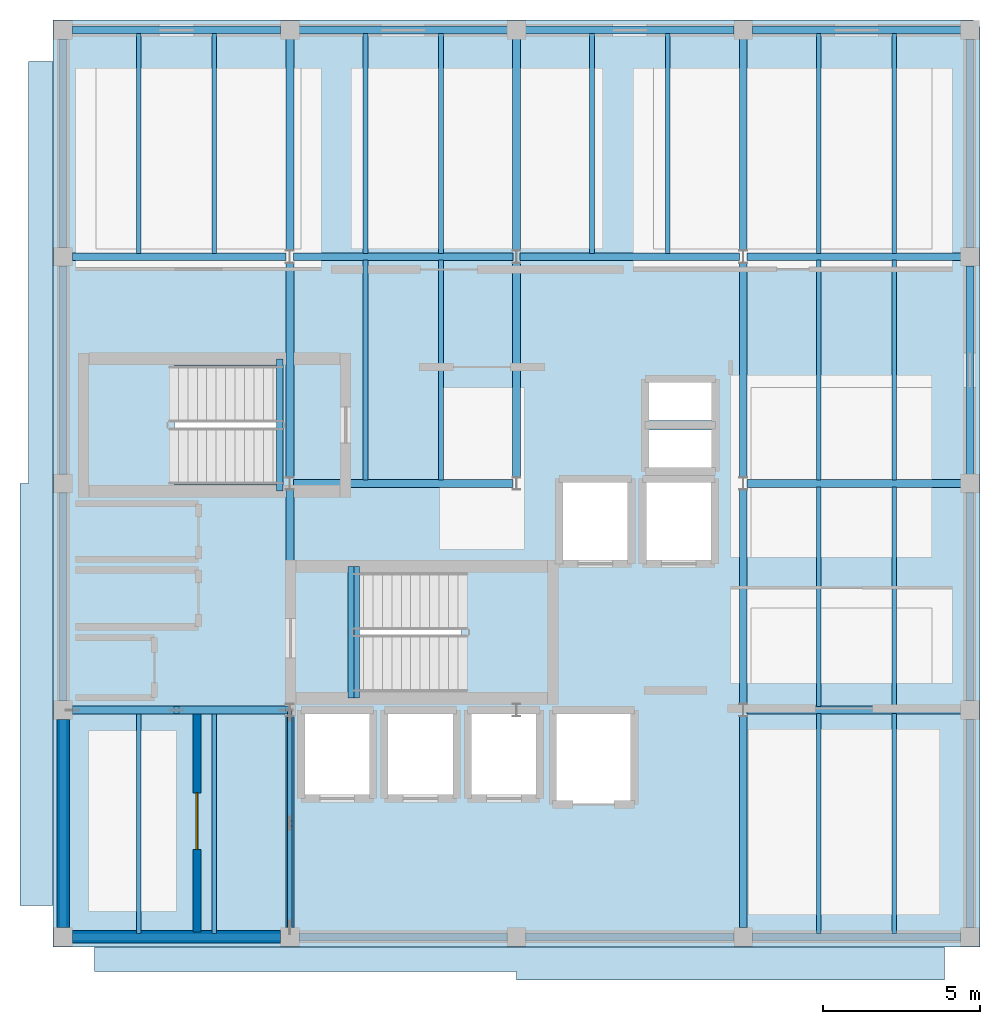
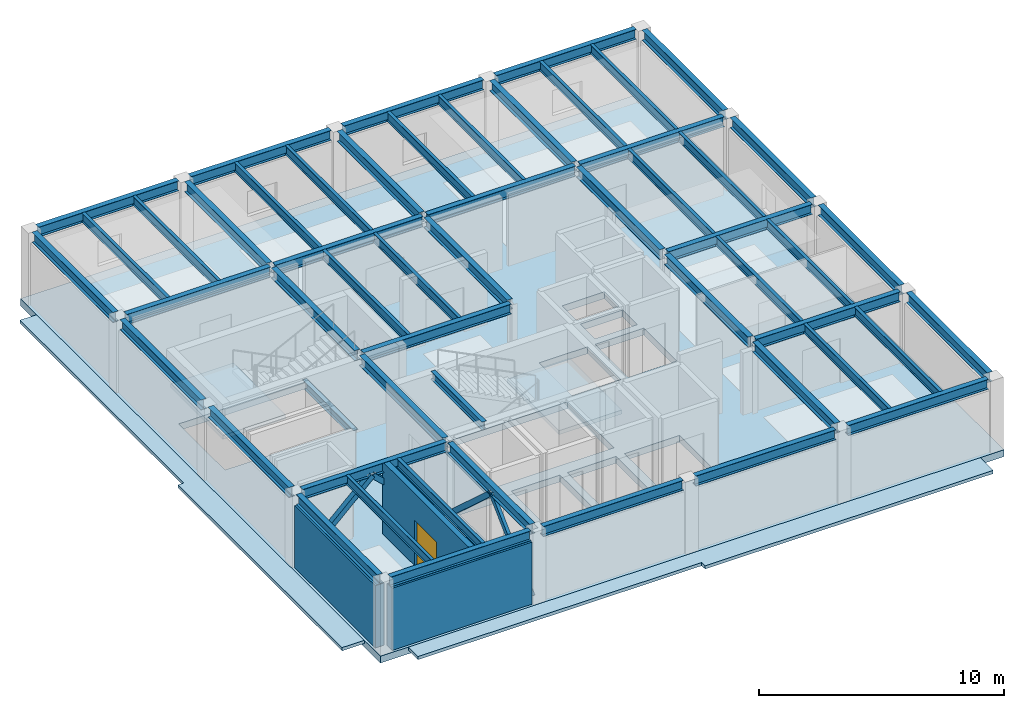
# One storey, part 3 of 8: 55 beams, 5 slabs, 4 members, 3 walls, 1 door, 1 opening, 2 elements without a shape of their own.
"""IFC4 building model written with IfcOpenShell, lengths in metres."""

from ifc_helpers import new_model, si_unit, direction, frame, frame_2d, origin, origin_2d, place, context, subcontext, project, spatial, polyline, rectangle, hollow_rectangle, i_section, outline, extrude, material, layer, layer_set, material_profile, profile_set, type_object, element, fill, aggregate, save


model = new_model("IFC4")

# Units and contexts
model_context = context("Model", 3, precision=1e-05, world=origin(), true_north=direction((0.0, 1.0)))
body_context = subcontext(model_context, "Body", "Model", "MODEL_VIEW")
ifc_project = project(units=[si_unit("LENGTHUNIT", "METRE"), si_unit("AREAUNIT", "SQUARE_METRE"), si_unit("VOLUMEUNIT", "CUBIC_METRE"), si_unit("PLANEANGLEUNIT", "RADIAN"), si_unit("MASSUNIT", "GRAM", prefix="KILO")], contexts=[model_context])

# Site, building, storey
site_placement = place(None, origin())
site = spatial("IfcSite", under=ifc_project, at=site_placement, CompositionType="ELEMENT")
building_placement = place(site_placement, origin())
building = spatial("IfcBuilding", under=site, at=building_placement, Name="Kandorven Conservatory and Botanical Research Centre", CompositionType="ELEMENT")
storey_placement = place(building_placement, frame((0.0, 0.0, 36.60009765625)))
storey = spatial("IfcBuildingStorey", under=building, at=storey_placement, Name="L09", CompositionType="ELEMENT", Elevation=36.60009765625)

# Beams
ifc_material_1 = material(Name="Steel S355 (IS 2062 E350)", Category="steel")
ifc_material_profile_1 = material_profile(ifc_material_1, i_section(OverallWidth=0.25, OverallDepth=0.5, WebThickness=0.010009765625, FlangeThickness=0.0146484375, at=origin_2d()))
ifc_profile_set_1 = profile_set([ifc_material_profile_1], Name="Steel S355 (IS 2062 E350)")
beam_type_1 = type_object("IfcBeamType", Name="Beam_FG-02", PredefinedType="USERDEFINED", material=ifc_profile_set_1)
beam_1_placement = place(storey_placement, frame((6.2900390625, 6.0, 3.369873046875), z_axis=(1.0, 0.0, 0.0), x_axis=(0.0, 1.0, 0.0)))
element("IfcBeam", 1, at=beam_1_placement, inside=storey, type_object=beam_type_1, Name="Primary girder FG-02 TWR L09", ObjectType="GIRDER", PredefinedType="USERDEFINED", context=body_context, shape_type="SweptSolid", body=[
    extrude(i_section(OverallWidth=0.25, OverallDepth=0.5, WebThickness=0.010009765625, FlangeThickness=0.0146484375, at=origin_2d()), origin(), (0.0, 0.0, 1.0), 6.619873046875),
])
for number, where, z_axis, x_axis, name in (
    (2, (13.489990234375, 6.0, 3.369873046875), (1.0, 0.0, 0.0), (0.0, 1.0, 0.0), "Primary girder FG-02 TWR L09"),
    (3, (20.68994140625, 6.0, 3.369873046875), (1.0, 0.0, 0.0), (0.0, 1.0, 0.0), "Primary girder FG-02 TWR L09"),
    (4, (27.889892578125, 6.0, 3.369873046875), (1.0, 0.0, 0.0), (0.0, 1.0, 0.0), "Primary girder FG-02 TWR L09"),
):
    element("IfcBeam", number, at=place(storey_placement, frame(where, z_axis=z_axis, x_axis=x_axis)), inside=storey, type_object=beam_type_1, Name=name, ObjectType="GIRDER", PredefinedType="USERDEFINED", context=body_context, shape_type="SweptSolid", body=[
        extrude(i_section(OverallWidth=0.25, OverallDepth=0.5, WebThickness=0.010009765625, FlangeThickness=0.0146484375, at=origin_2d()), origin(), (0.0, 0.0, 1.0), 6.6201171875),
    ])
for number, where, z_axis, x_axis, name in (
    (5, (6.2900390625, 13.199951171875, 3.369873046875), (1.0, 0.0, 0.0), (0.0, 1.0, 0.0), "Primary girder FG-02 TWR L09"),
    (6, (27.715087890625, 13.199951171875, 3.369873046875), (1.0, 0.0, 0.0), (0.0, 1.0, 0.0), "Primary girder FG-02 TWR L09"),
):
    element("IfcBeam", number, at=place(storey_placement, frame(where, z_axis=z_axis, x_axis=x_axis)), inside=storey, type_object=beam_type_1, Name=name, ObjectType="GIRDER", PredefinedType="USERDEFINED", context=body_context, shape_type="SweptSolid", body=[
        extrude(i_section(OverallWidth=0.25, OverallDepth=0.5, WebThickness=0.010009765625, FlangeThickness=0.0146484375, at=origin_2d()), origin(), (0.0, 0.0, 1.0), 6.794921875),
    ])
beam_2_placement = place(storey_placement, frame((13.31494140625, 20.39990234375, 3.369873046875), z_axis=(1.0, 0.0, 0.0), x_axis=(0.0, 1.0, 0.0)))
element("IfcBeam", 7, at=beam_2_placement, inside=storey, type_object=beam_type_1, Name="Primary girder FG-02 TWR L09", ObjectType="GIRDER", PredefinedType="USERDEFINED", context=body_context, shape_type="SweptSolid", body=[
    extrude(i_section(OverallWidth=0.25, OverallDepth=0.5, WebThickness=0.010009765625, FlangeThickness=0.0146484375, at=origin_2d()), origin(), (0.0, 0.0, 1.0), 6.969970703125),
])
for number, where, z_axis, x_axis, name in (
    (8, (27.715087890625, 20.39990234375, 3.369873046875), (1.0, 0.0, 0.0), (0.0, 1.0, 0.0), "Primary girder FG-02 TWR L09"),
    (9, (6.2900390625, 27.60009765625, 3.369873046875), (1.0, 0.0, 0.0), (0.0, 1.0, 0.0), "Primary girder FG-02 TWR L09"),
):
    element("IfcBeam", number, at=place(storey_placement, frame(where, z_axis=z_axis, x_axis=x_axis)), inside=storey, type_object=beam_type_1, Name=name, ObjectType="GIRDER", PredefinedType="USERDEFINED", context=body_context, shape_type="SweptSolid", body=[
        extrude(i_section(OverallWidth=0.25, OverallDepth=0.5, WebThickness=0.010009765625, FlangeThickness=0.0146484375, at=origin_2d()), origin(), (0.0, 0.0, 1.0), 6.794921875),
    ])
beam_3_placement = place(storey_placement, frame((13.31494140625, 27.60009765625, 3.369873046875), z_axis=(1.0, 0.0, 0.0), x_axis=(0.0, 1.0, 0.0)))
element("IfcBeam", 10, at=beam_3_placement, inside=storey, type_object=beam_type_1, Name="Primary girder FG-02 TWR L09", ObjectType="GIRDER", PredefinedType="USERDEFINED", context=body_context, shape_type="SweptSolid", body=[
    extrude(i_section(OverallWidth=0.25, OverallDepth=0.5, WebThickness=0.010009765625, FlangeThickness=0.0146484375, at=origin_2d()), origin(), (0.0, 0.0, 1.0), 6.969970703125),
])
beam_4_placement = place(storey_placement, frame((20.514892578125, 27.60009765625, 3.369873046875), z_axis=(1.0, 0.0, 0.0), x_axis=(0.0, 1.0, 0.0)))
element("IfcBeam", 11, at=beam_4_placement, inside=storey, type_object=beam_type_1, Name="Primary girder FG-02 TWR L09", ObjectType="GIRDER", PredefinedType="USERDEFINED", context=body_context, shape_type="SweptSolid", body=[
    extrude(i_section(OverallWidth=0.25, OverallDepth=0.5, WebThickness=0.010009765625, FlangeThickness=0.0146484375, at=origin_2d()), origin(), (0.0, 0.0, 1.0), 6.97021484375),
])
beam_5_placement = place(storey_placement, frame((27.715087890625, 27.60009765625, 3.369873046875), z_axis=(1.0, 0.0, 0.0), x_axis=(0.0, 1.0, 0.0)))
element("IfcBeam", 12, at=beam_5_placement, inside=storey, type_object=beam_type_1, Name="Primary girder FG-02 TWR L09", ObjectType="GIRDER", PredefinedType="USERDEFINED", context=body_context, shape_type="SweptSolid", body=[
    extrude(i_section(OverallWidth=0.25, OverallDepth=0.5, WebThickness=0.010009765625, FlangeThickness=0.0146484375, at=origin_2d()), origin(), (0.0, 0.0, 1.0), 6.794921875),
])
beam_6_placement = place(storey_placement, frame((6.2900390625, 34.800048828125, 3.369873046875), z_axis=(1.0, 0.0, 0.0), x_axis=(0.0, 1.0, 0.0)))
element("IfcBeam", 13, at=beam_6_placement, inside=storey, type_object=beam_type_1, Name="Primary girder FG-02 TWR L09", ObjectType="GIRDER", PredefinedType="USERDEFINED", context=body_context, shape_type="SweptSolid", body=[
    extrude(i_section(OverallWidth=0.25, OverallDepth=0.5, WebThickness=0.010009765625, FlangeThickness=0.0146484375, at=origin_2d()), origin(), (0.0, 0.0, 1.0), 6.619873046875),
])
for number, where, z_axis, x_axis, name in (
    (14, (13.489990234375, 34.800048828125, 3.369873046875), (1.0, 0.0, 0.0), (0.0, 1.0, 0.0), "Primary girder FG-02 TWR L09"),
    (15, (20.68994140625, 34.800048828125, 3.369873046875), (1.0, 0.0, 0.0), (0.0, 1.0, 0.0), "Primary girder FG-02 TWR L09"),
    (16, (27.889892578125, 34.800048828125, 3.369873046875), (1.0, 0.0, 0.0), (0.0, 1.0, 0.0), "Primary girder FG-02 TWR L09"),
):
    element("IfcBeam", number, at=place(storey_placement, frame(where, z_axis=z_axis, x_axis=x_axis)), inside=storey, type_object=beam_type_1, Name=name, ObjectType="GIRDER", PredefinedType="USERDEFINED", context=body_context, shape_type="SweptSolid", body=[
        extrude(i_section(OverallWidth=0.25, OverallDepth=0.5, WebThickness=0.010009765625, FlangeThickness=0.0146484375, at=origin_2d()), origin(), (0.0, 0.0, 1.0), 6.6201171875),
    ])
beam_7_placement = place(storey_placement, frame((6.0, 6.2900390625, 3.369873046875), z_axis=(0.0, 1.0, 0.0), x_axis=(-1.0, 0.0, 0.0)))
element("IfcBeam", 17, at=beam_7_placement, inside=storey, type_object=beam_type_1, Name="Primary girder FG-02 TWR L09", ObjectType="GIRDER", PredefinedType="USERDEFINED", context=body_context, shape_type="SweptSolid", body=[
    extrude(i_section(OverallWidth=0.25, OverallDepth=0.5, WebThickness=0.010009765625, FlangeThickness=0.0146484375, at=origin_2d()), origin(), (0.0, 0.0, 1.0), 6.619873046875),
])
for number, where, z_axis, x_axis, name in (
    (18, (6.0, 13.489990234375, 3.369873046875), (0.0, 1.0, 0.0), (-1.0, 0.0, 0.0), "Primary girder FG-02 TWR L09"),
    (19, (6.0, 20.68994140625, 3.369873046875), (0.0, 1.0, 0.0), (-1.0, 0.0, 0.0), "Primary girder FG-02 TWR L09"),
    (20, (6.0, 27.889892578125, 3.369873046875), (0.0, 1.0, 0.0), (-1.0, 0.0, 0.0), "Primary girder FG-02 TWR L09"),
):
    element("IfcBeam", number, at=place(storey_placement, frame(where, z_axis=z_axis, x_axis=x_axis)), inside=storey, type_object=beam_type_1, Name=name, ObjectType="GIRDER", PredefinedType="USERDEFINED", context=body_context, shape_type="SweptSolid", body=[
        extrude(i_section(OverallWidth=0.25, OverallDepth=0.5, WebThickness=0.010009765625, FlangeThickness=0.0146484375, at=origin_2d()), origin(), (0.0, 0.0, 1.0), 6.6201171875),
    ])
beam_8_placement = place(storey_placement, frame((13.199951171875, 6.2900390625, 3.369873046875), z_axis=(0.0, 1.0, 0.0), x_axis=(-1.0, 0.0, 0.0)))
element("IfcBeam", 21, at=beam_8_placement, inside=storey, type_object=beam_type_1, Name="Primary girder FG-02 TWR L09", ObjectType="GIRDER", PredefinedType="USERDEFINED", context=body_context, shape_type="SweptSolid", body=[
    extrude(i_section(OverallWidth=0.25, OverallDepth=0.5, WebThickness=0.010009765625, FlangeThickness=0.0146484375, at=origin_2d()), origin(), (0.0, 0.0, 1.0), 6.719970703125),
])
beam_9_placement = place(storey_placement, frame((13.199951171875, 13.389892578125, 3.369873046875), z_axis=(0.0, 1.0, 0.0), x_axis=(-1.0, 0.0, 0.0)))
element("IfcBeam", 22, at=beam_9_placement, inside=storey, type_object=beam_type_1, Name="Primary girder FG-02 TWR L09", ObjectType="GIRDER", PredefinedType="USERDEFINED", context=body_context, shape_type="SweptSolid", body=[
    extrude(i_section(OverallWidth=0.25, OverallDepth=0.5, WebThickness=0.010009765625, FlangeThickness=0.0146484375, at=origin_2d()), origin(), (0.0, 0.0, 1.0), 6.820068359375),
])
beam_10_placement = place(storey_placement, frame((13.199951171875, 20.590087890625, 3.369873046875), z_axis=(0.0, 1.0, 0.0), x_axis=(-1.0, 0.0, 0.0)))
element("IfcBeam", 23, at=beam_10_placement, inside=storey, type_object=beam_type_1, Name="Primary girder FG-02 TWR L09", ObjectType="GIRDER", PredefinedType="USERDEFINED", context=body_context, shape_type="SweptSolid", body=[
    extrude(i_section(OverallWidth=0.25, OverallDepth=0.5, WebThickness=0.010009765625, FlangeThickness=0.0146484375, at=origin_2d()), origin(), (0.0, 0.0, 1.0), 6.81982421875),
])
beam_11_placement = place(storey_placement, frame((13.199951171875, 27.7900390625, 3.369873046875), z_axis=(0.0, 1.0, 0.0), x_axis=(-1.0, 0.0, 0.0)))
element("IfcBeam", 24, at=beam_11_placement, inside=storey, type_object=beam_type_1, Name="Primary girder FG-02 TWR L09", ObjectType="GIRDER", PredefinedType="USERDEFINED", context=body_context, shape_type="SweptSolid", body=[
    extrude(i_section(OverallWidth=0.25, OverallDepth=0.5, WebThickness=0.010009765625, FlangeThickness=0.0146484375, at=origin_2d()), origin(), (0.0, 0.0, 1.0), 6.719970703125),
])
beam_12_placement = place(storey_placement, frame((20.39990234375, 20.590087890625, 3.369873046875), z_axis=(0.0, 1.0, 0.0), x_axis=(-1.0, 0.0, 0.0)))
element("IfcBeam", 25, at=beam_12_placement, inside=storey, type_object=beam_type_1, Name="Primary girder FG-02 TWR L09", ObjectType="GIRDER", PredefinedType="USERDEFINED", context=body_context, shape_type="SweptSolid", body=[
    extrude(i_section(OverallWidth=0.25, OverallDepth=0.5, WebThickness=0.010009765625, FlangeThickness=0.0146484375, at=origin_2d()), origin(), (0.0, 0.0, 1.0), 6.81982421875),
])
for number, where, z_axis, x_axis, name in (
    (26, (20.39990234375, 27.7900390625, 3.369873046875), (0.0, 1.0, 0.0), (-1.0, 0.0, 0.0), "Primary girder FG-02 TWR L09"),
    (27, (27.60009765625, 6.2900390625, 3.369873046875), (0.0, 1.0, 0.0), (-1.0, 0.0, 0.0), "Primary girder FG-02 TWR L09"),
):
    element("IfcBeam", number, at=place(storey_placement, frame(where, z_axis=z_axis, x_axis=x_axis)), inside=storey, type_object=beam_type_1, Name=name, ObjectType="GIRDER", PredefinedType="USERDEFINED", context=body_context, shape_type="SweptSolid", body=[
        extrude(i_section(OverallWidth=0.25, OverallDepth=0.5, WebThickness=0.010009765625, FlangeThickness=0.0146484375, at=origin_2d()), origin(), (0.0, 0.0, 1.0), 6.719970703125),
    ])
beam_13_placement = place(storey_placement, frame((27.60009765625, 13.389892578125, 3.369873046875), z_axis=(0.0, 1.0, 0.0), x_axis=(-1.0, 0.0, 0.0)))
element("IfcBeam", 28, at=beam_13_placement, inside=storey, type_object=beam_type_1, Name="Primary girder FG-02 TWR L09", ObjectType="GIRDER", PredefinedType="USERDEFINED", context=body_context, shape_type="SweptSolid", body=[
    extrude(i_section(OverallWidth=0.25, OverallDepth=0.5, WebThickness=0.010009765625, FlangeThickness=0.0146484375, at=origin_2d()), origin(), (0.0, 0.0, 1.0), 6.820068359375),
])
beam_14_placement = place(storey_placement, frame((27.60009765625, 20.590087890625, 3.369873046875), z_axis=(0.0, 1.0, 0.0), x_axis=(-1.0, 0.0, 0.0)))
element("IfcBeam", 29, at=beam_14_placement, inside=storey, type_object=beam_type_1, Name="Primary girder FG-02 TWR L09", ObjectType="GIRDER", PredefinedType="USERDEFINED", context=body_context, shape_type="SweptSolid", body=[
    extrude(i_section(OverallWidth=0.25, OverallDepth=0.5, WebThickness=0.010009765625, FlangeThickness=0.0146484375, at=origin_2d()), origin(), (0.0, 0.0, 1.0), 6.81982421875),
])
beam_15_placement = place(storey_placement, frame((27.60009765625, 27.7900390625, 3.369873046875), z_axis=(0.0, 1.0, 0.0), x_axis=(-1.0, 0.0, 0.0)))
element("IfcBeam", 30, at=beam_15_placement, inside=storey, type_object=beam_type_1, Name="Primary girder FG-02 TWR L09", ObjectType="GIRDER", PredefinedType="USERDEFINED", context=body_context, shape_type="SweptSolid", body=[
    extrude(i_section(OverallWidth=0.25, OverallDepth=0.5, WebThickness=0.010009765625, FlangeThickness=0.0146484375, at=origin_2d()), origin(), (0.0, 0.0, 1.0), 6.719970703125),
])
beam_16_placement = place(storey_placement, frame((34.800048828125, 6.2900390625, 3.369873046875), z_axis=(0.0, 1.0, 0.0), x_axis=(-1.0, 0.0, 0.0)))
element("IfcBeam", 31, at=beam_16_placement, inside=storey, type_object=beam_type_1, Name="Primary girder FG-02 TWR L09", ObjectType="GIRDER", PredefinedType="USERDEFINED", context=body_context, shape_type="SweptSolid", body=[
    extrude(i_section(OverallWidth=0.25, OverallDepth=0.5, WebThickness=0.010009765625, FlangeThickness=0.0146484375, at=origin_2d()), origin(), (0.0, 0.0, 1.0), 6.619873046875),
])
for number, where, z_axis, x_axis, name in (
    (32, (34.800048828125, 13.489990234375, 3.369873046875), (0.0, 1.0, 0.0), (-1.0, 0.0, 0.0), "Primary girder FG-02 TWR L09"),
    (33, (34.800048828125, 20.68994140625, 3.369873046875), (0.0, 1.0, 0.0), (-1.0, 0.0, 0.0), "Primary girder FG-02 TWR L09"),
    (34, (34.800048828125, 27.889892578125, 3.369873046875), (0.0, 1.0, 0.0), (-1.0, 0.0, 0.0), "Primary girder FG-02 TWR L09"),
):
    element("IfcBeam", number, at=place(storey_placement, frame(where, z_axis=z_axis, x_axis=x_axis)), inside=storey, type_object=beam_type_1, Name=name, ObjectType="GIRDER", PredefinedType="USERDEFINED", context=body_context, shape_type="SweptSolid", body=[
        extrude(i_section(OverallWidth=0.25, OverallDepth=0.5, WebThickness=0.010009765625, FlangeThickness=0.0146484375, at=origin_2d()), origin(), (0.0, 0.0, 1.0), 6.6201171875),
    ])
ifc_material_2 = material(Name="Steel S355 (IS 2062 E350)", Category="steel")
ifc_material_profile_2 = material_profile(ifc_material_2, i_section(OverallWidth=0.199951171875, OverallDepth=0.39990234375, WebThickness=0.008544921875, FlangeThickness=0.012939453125, at=origin_2d()))
ifc_profile_set_2 = profile_set([ifc_material_profile_2], Name="Steel S355 (IS 2062 E350)")
beam_type_2 = type_object("IfcBeamType", Name="Beam_FG-03", PredefinedType="USERDEFINED", material=ifc_profile_set_2)
for number, where, z_axis, x_axis, name in (
    (35, (15.320068359375, 13.580078125, -0.2001953125), (0.0, 1.0, 0.0), (-1.0, 0.0, 0.0), "Stair well bottom trimmer girder FG-03 ST-T1 L09"),
    (36, (15.139892578125, 13.580078125, 3.419921875), (0.0, 1.0, 0.0), (-1.0, 0.0, 0.0), "Stair well top header girder FG-03 ST-T1 L09"),
):
    element("IfcBeam", number, at=place(storey_placement, frame(where, z_axis=z_axis, x_axis=x_axis)), inside=storey, type_object=beam_type_2, Name=name, ObjectType="GIRDER", PredefinedType="USERDEFINED", context=body_context, shape_type="SweptSolid", body=[
        extrude(i_section(OverallWidth=0.199951171875, OverallDepth=0.39990234375, WebThickness=0.008544921875, FlangeThickness=0.012939453125, at=origin_2d()), origin(), (0.0, 0.0, 1.0), 4.18994140625),
    ])
beam_17_placement = place(storey_placement, frame((12.8798828125, 24.35009765625, -0.2001953125), z_axis=(0.0, -1.0, 0.0), x_axis=(1.0, 0.0, 0.0)))
element("IfcBeam", 37, at=beam_17_placement, inside=storey, type_object=beam_type_2, Name="Stair well bottom trimmer girder FG-03 ST-T2 L09", ObjectType="GIRDER", PredefinedType="USERDEFINED", context=body_context, shape_type="SweptSolid", body=[
    extrude(i_section(OverallWidth=0.199951171875, OverallDepth=0.39990234375, WebThickness=0.008544921875, FlangeThickness=0.012939453125, at=origin_2d()), origin(), (0.0, 0.0, 1.0), 4.190185546875),
])
ifc_material_3 = material(Name="Steel S355 (IS 2062 E350)", Category="steel")
ifc_material_profile_3 = material_profile(ifc_material_3, i_section(OverallWidth=0.14990234375, OverallDepth=0.449951171875, WebThickness=0.009521484375, FlangeThickness=0.017333984375, at=origin_2d()))
ifc_profile_set_3 = profile_set([ifc_material_profile_3], Name="Steel S355 (IS 2062 E350)")
beam_type_3 = type_object("IfcBeamType", Name="Beam_SB-04", PredefinedType="BEAM", material=ifc_profile_set_3)
for number, where, z_axis, x_axis, name in (
    (38, (8.39990234375, 6.110107421875, 3.39501953125), (0.0, 1.0, 0.0), (-1.0, 0.0, 0.0), "Composite secondary beam SB-04 TWR L09"),
    (39, (10.800048828125, 6.110107421875, 3.39501953125), (0.0, 1.0, 0.0), (-1.0, 0.0, 0.0), "Composite secondary beam SB-04 TWR L09"),
    (40, (8.39990234375, 27.7099609375, 3.39501953125), (0.0, 1.0, 0.0), (-1.0, 0.0, 0.0), "Composite secondary beam SB-04 TWR L09"),
    (41, (10.800048828125, 27.7099609375, 3.39501953125), (0.0, 1.0, 0.0), (-1.0, 0.0, 0.0), "Composite secondary beam SB-04 TWR L09"),
    (42, (15.60009765625, 20.510009765625, 3.39501953125), (0.0, 1.0, 0.0), (-1.0, 0.0, 0.0), "Composite secondary beam SB-04 TWR L09"),
    (43, (18.0, 20.510009765625, 3.39501953125), (0.0, 1.0, 0.0), (-1.0, 0.0, 0.0), "Composite secondary beam SB-04 TWR L09"),
    (44, (15.60009765625, 27.7099609375, 3.39501953125), (0.0, 1.0, 0.0), (-1.0, 0.0, 0.0), "Composite secondary beam SB-04 TWR L09"),
    (45, (18.0, 27.7099609375, 3.39501953125), (0.0, 1.0, 0.0), (-1.0, 0.0, 0.0), "Composite secondary beam SB-04 TWR L09"),
    (46, (22.800048828125, 27.7099609375, 3.39501953125), (0.0, 1.0, 0.0), (-1.0, 0.0, 0.0), "Composite secondary beam SB-04 TWR L09"),
    (47, (25.199951171875, 27.7099609375, 3.39501953125), (0.0, 1.0, 0.0), (-1.0, 0.0, 0.0), "Composite secondary beam SB-04 TWR L09"),
    (48, (30.0, 6.110107421875, 3.39501953125), (0.0, 1.0, 0.0), (-1.0, 0.0, 0.0), "Composite secondary beam SB-04 TWR L09"),
    (49, (32.39990234375, 6.110107421875, 3.39501953125), (0.0, 1.0, 0.0), (-1.0, 0.0, 0.0), "Composite secondary beam SB-04 TWR L09"),
    (50, (30.0, 13.31005859375, 3.39501953125), (0.0, 1.0, 0.0), (-1.0, 0.0, 0.0), "Composite secondary beam SB-04 TWR L09"),
    (51, (32.39990234375, 13.31005859375, 3.39501953125), (0.0, 1.0, 0.0), (-1.0, 0.0, 0.0), "Composite secondary beam SB-04 TWR L09"),
    (52, (30.0, 20.510009765625, 3.39501953125), (0.0, 1.0, 0.0), (-1.0, 0.0, 0.0), "Composite secondary beam SB-04 TWR L09"),
    (53, (32.39990234375, 20.510009765625, 3.39501953125), (0.0, 1.0, 0.0), (-1.0, 0.0, 0.0), "Composite secondary beam SB-04 TWR L09"),
    (54, (30.0, 27.7099609375, 3.39501953125), (0.0, 1.0, 0.0), (-1.0, 0.0, 0.0), "Composite secondary beam SB-04 TWR L09"),
    (55, (32.39990234375, 27.7099609375, 3.39501953125), (0.0, 1.0, 0.0), (-1.0, 0.0, 0.0), "Composite secondary beam SB-04 TWR L09"),
):
    element("IfcBeam", number, at=place(storey_placement, frame(where, z_axis=z_axis, x_axis=x_axis)), inside=storey, type_object=beam_type_3, Name=name, PredefinedType="BEAM", context=body_context, shape_type="SweptSolid", body=[
        extrude(i_section(OverallWidth=0.14990234375, OverallDepth=0.449951171875, WebThickness=0.009521484375, FlangeThickness=0.017333984375, at=origin_2d()), origin(), (0.0, 0.0, 1.0), 6.97998046875),
    ])

# Members
ifc_material_4 = material(Name="Steel S355 (IS 2062 E350)", Category="steel")
ifc_material_profile_4 = material_profile(ifc_material_4, hollow_rectangle(XDim=0.25, YDim=0.25, WallThickness=0.011962890625, at=origin_2d()))
ifc_profile_set_4 = profile_set([ifc_material_profile_4], Name="Steel S355 (IS 2062 E350)")
member_type_1 = type_object("IfcMemberType", Name="Mem_BR-02", PredefinedType="BRACE", material=ifc_profile_set_4)
member_1_placement = place(storey_placement, frame((6.300048828125, 13.199951171875, 0.0), z_axis=(0.723371338309, 0.0, 0.690459200035), x_axis=(0.0, 1.0, 0.0)))
element("IfcMember", 56, at=member_1_placement, inside=storey, type_object=member_type_1, Name="Tower lateral chevron brace BR-02 L09 W", PredefinedType="BRACE", context=body_context, shape_type="SweptSolid", body=[
    extrude(hollow_rectangle(XDim=0.25, YDim=0.25, WallThickness=0.011962890625, at=origin_2d()), origin(), (0.0, 0.0, 1.0), 4.56201171875),
])
member_2_placement = place(storey_placement, frame((13.074951171875, 13.199951171875, 0.0), z_axis=(-0.740900335623, 0.0, 0.671614988422), x_axis=(0.0, -1.0, 0.0)))
element("IfcMember", 57, at=member_2_placement, inside=storey, type_object=member_type_1, Name="Tower lateral chevron brace BR-02 L09 E", PredefinedType="BRACE", context=body_context, shape_type="SweptSolid", body=[
    extrude(hollow_rectangle(XDim=0.25, YDim=0.25, WallThickness=0.011962890625, at=origin_2d()), origin(), (0.0, 0.0, 1.0), 4.68994140625),
])
ifc_material_5 = material(Name="Steel S355 (IS 2062 E350)", Category="steel")
ifc_material_profile_5 = material_profile(ifc_material_5, hollow_rectangle(XDim=0.14990234375, YDim=0.25, WallThickness=0.010009765625, at=origin_2d()))
ifc_profile_set_5 = profile_set([ifc_material_profile_5], Name="Steel S355 (IS 2062 E350)")
member_type_2 = type_object("IfcMemberType", Name="Mem_BR-04", PredefinedType="BRACE", material=ifc_profile_set_5)
member_3_placement = place(storey_placement, frame((13.199951171875, 6.300048828125, 0.0), z_axis=(0.0, 0.723371338309, 0.690459200035), x_axis=(-1.0, 0.0, 0.0)))
element("IfcMember", 58, at=member_3_placement, inside=storey, type_object=member_type_2, Name="Tower lateral chevron brace BR-04 L09 S", PredefinedType="BRACE", context=body_context, shape_type="SweptSolid", body=[
    extrude(hollow_rectangle(XDim=0.14990234375, YDim=0.25, WallThickness=0.010009765625, at=origin_2d()), origin(), (0.0, 0.0, 1.0), 4.56201171875),
])
member_4_placement = place(storey_placement, frame((13.199951171875, 13.074951171875, 0.0), z_axis=(0.0, -0.740900335623, 0.671614988422), x_axis=(1.0, 0.0, 0.0)))
element("IfcMember", 59, at=member_4_placement, inside=storey, type_object=member_type_2, Name="Tower lateral chevron brace BR-04 L09 N", PredefinedType="BRACE", context=body_context, shape_type="SweptSolid", body=[
    extrude(hollow_rectangle(XDim=0.14990234375, YDim=0.25, WallThickness=0.010009765625, at=origin_2d()), origin(), (0.0, 0.0, 1.0), 4.68994140625),
])

# Slabs
ifc_material_6 = material(Name="Concrete C32/40 (M40)", Category="concrete")
ifc_layer_1 = layer(ifc_material_6, 0.340087890625)
ifc_layer_set_1 = layer_set([ifc_layer_1], Name="Concrete C32/40 (M40)")
slab_type_1 = type_object("IfcSlabType", Name="Slab_SL-01", PredefinedType="FLOOR", material=ifc_layer_set_1)
slab_1_placement = place(storey_placement, frame((0.0, 0.0, -0.340087890625)))
element("IfcSlab", 60, at=slab_1_placement, inside=storey, type_object=slab_type_1, Name="Tower floor slab L09", PredefinedType="FLOOR", context=body_context, shape_type="SweptSolid", body=[
    extrude(outline(polyline([(5.679931640625, 5.679931640625), (35.1201171875, 5.679931640625), (35.1201171875, 34.919921875), (34.919921875, 34.919921875), (34.919921875, 35.1201171875), (5.679931640625, 35.1201171875), (5.679931640625, 5.679931640625)]), holes=[polyline([(15.239990234375, 13.780029296875), (21.3798828125, 13.780029296875), (21.3798828125, 17.570068359375), (15.239990234375, 17.570068359375), (15.239990234375, 13.780029296875)]), polyline([(12.9599609375, 24.14990234375), (6.820068359375, 24.14990234375), (6.820068359375, 20.360107421875), (12.9599609375, 20.360107421875), (12.9599609375, 24.14990234375)]), polyline([(21.75, 17.85009765625), (24.050048828125, 17.85009765625), (24.050048828125, 20.550048828125), (21.75, 20.550048828125), (21.75, 17.85009765625)]), polyline([(24.39990234375, 17.85009765625), (26.699951171875, 17.85009765625), (26.699951171875, 20.550048828125), (24.39990234375, 20.550048828125), (24.39990234375, 17.85009765625)]), polyline([(13.550048828125, 10.39990234375), (15.85009765625, 10.39990234375), (15.85009765625, 13.199951171875), (13.550048828125, 13.199951171875), (13.550048828125, 10.39990234375)]), polyline([(16.199951171875, 10.39990234375), (18.5, 10.39990234375), (18.5, 13.199951171875), (16.199951171875, 13.199951171875), (16.199951171875, 10.39990234375)]), polyline([(18.85009765625, 10.39990234375), (21.14990234375, 10.39990234375), (21.14990234375, 13.199951171875), (18.85009765625, 13.199951171875), (18.85009765625, 10.39990234375)]), polyline([(21.550048828125, 10.199951171875), (24.14990234375, 10.199951171875), (24.14990234375, 13.199951171875), (21.550048828125, 13.199951171875), (21.550048828125, 10.199951171875)]), polyline([(24.60009765625, 20.89990234375), (26.60009765625, 20.89990234375), (26.60009765625, 22.10009765625), (24.60009765625, 22.10009765625), (24.60009765625, 20.89990234375)]), polyline([(24.60009765625, 22.39990234375), (26.60009765625, 22.39990234375), (26.60009765625, 23.60009765625), (24.60009765625, 23.60009765625), (24.60009765625, 22.39990234375)])]), origin(), (0.0, 0.0, 1.0), 0.340087890625),
])
ifc_material_7 = material(Name="Concrete C32/40 (M40)", Category="concrete")
ifc_layer_2 = layer(ifc_material_7, 0.159912109375)
ifc_layer_set_2 = layer_set([ifc_layer_2], Name="Concrete C32/40 (M40)")
slab_type_2 = type_object("IfcSlabType", Name="Slab_SL-14", PredefinedType="FLOOR", material=ifc_layer_set_2)
slab_2_placement = place(storey_placement, frame((0.0, 0.0, -0.16015625)))
element("IfcSlab", 61, at=slab_2_placement, inside=storey, type_object=slab_type_2, Name="Tower south sculpted concrete solar-hood slab L09", PredefinedType="FLOOR", context=body_context, shape_type="SweptSolid", body=[
    extrude(outline(polyline([(7.0, 5.679931640625), (34.0, 5.679931640625), (34.0, 4.6298828125), (20.39990234375, 4.6298828125), (20.39990234375, 4.89990234375), (7.0, 4.89990234375), (7.0, 5.679931640625)])), origin(), (0.0, 0.0, 1.0), 0.16015625),
])
slab_3_placement = place(storey_placement, frame((0.0, 0.0, -0.16015625)))
element("IfcSlab", 62, at=slab_3_placement, inside=storey, type_object=slab_type_2, Name="Tower west sculpted concrete solar-hood slab L09", PredefinedType="FLOOR", context=body_context, shape_type="SweptSolid", body=[
    extrude(outline(polyline([(4.6298828125, 7.0), (5.679931640625, 7.0), (5.679931640625, 33.800048828125), (4.89990234375, 33.800048828125), (4.89990234375, 20.39990234375), (4.6298828125, 20.39990234375), (4.6298828125, 7.0)])), origin(), (0.0, 0.0, 1.0), 0.16015625),
])

# Stair, slab
ifc_material_8 = material(Name="Concrete C32/40 (M40)", Category="concrete")
stair_type = type_object("IfcStairType", Name="Stair_1820", PredefinedType="HALF_TURN_STAIR", material=ifc_material_8)
stair_1_placement = place(storey_placement, origin())
stair_1 = element("IfcStair", 63, at=stair_1_placement, inside=storey, type_object=stair_type, Name="L09 Tower Fire Stair ST-T1", PredefinedType="HALF_TURN_STAIR")
ifc_material_9 = material(Name="Concrete C32/40 (M40)", Category="concrete")
ifc_layer_3 = layer(ifc_material_9, 0.199951171875)
ifc_layer_set_3 = layer_set([ifc_layer_3], Name="Concrete C32/40 (M40)")
slab_type_3 = type_object("IfcSlabType", Name="StairLanding_200", PredefinedType="LANDING", material=ifc_layer_set_3)
slab_4_placement = place(storey_placement, frame((0.0, 0.0, 1.75)))
slab_4 = element("IfcSlab", 64, at=slab_4_placement, type_object=slab_type_3, Name="ST-T1 landing 1", PredefinedType="LANDING", context=body_context, shape_type="SweptSolid", body=[
    extrude(outline(polyline([(18.659423828125, 13.5400390625), (21.6201171875, 13.5400390625), (21.6201171875, 17.81005859375), (18.659423828125, 17.81005859375), (18.659423828125, 13.5400390625)])), origin(), (0.0, 0.0, 1.0), 0.199951171875),
])
aggregate(stair_1, [slab_4])

stair_2_placement = place(storey_placement, origin())
stair_2 = element("IfcStair", 65, at=stair_2_placement, inside=storey, type_object=stair_type, Name="L09 Tower Fire Stair ST-T2", PredefinedType="HALF_TURN_STAIR")
slab_5_placement = place(storey_placement, frame((0.0, 0.0, 1.75)))
slab_5 = element("IfcSlab", 66, at=slab_5_placement, type_object=slab_type_3, Name="ST-T2 landing 1", PredefinedType="LANDING", context=body_context, shape_type="SweptSolid", body=[
    extrude(outline(polyline([(9.54052734375, 24.389892578125), (6.580078125, 24.389892578125), (6.580078125, 20.1201171875), (9.54052734375, 20.1201171875), (9.54052734375, 24.389892578125)])), origin(), (0.0, 0.0, 1.0), 0.199951171875),
])
aggregate(stair_2, [slab_5])

# Walls
ifc_material_10 = material(Name="Concrete C40/50 (M50)", Category="concrete")
ifc_layer_4 = layer(ifc_material_10, 0.39990234375)
ifc_layer_set_4 = layer_set([ifc_layer_4], Name="Concrete C40/50 (M50)")
wall_type_1 = type_object("IfcWallType", Name="Wall_EW-HB-01", PredefinedType="STANDARD", material=ifc_layer_set_4)
for number, where, z_axis, x_axis, name in (
    (67, (6.300048828125, 6.0, 0.0), (0.0, 0.0, 1.0), (1.0, 0.0, 0.0), "Tower concrete facade wall EW-HB-01 S L09"),
    (68, (6.0, 6.300048828125, 0.0), (0.0, 0.0, 1.0), (0.0, 1.0, 0.0), "Tower concrete facade wall EW-HB-01 W L09"),
):
    element("IfcWall", number, at=place(storey_placement, frame(where, z_axis=z_axis, x_axis=x_axis)), inside=storey, type_object=wall_type_1, Name=name, PredefinedType="STANDARD", context=body_context, shape_type="SweptSolid", body=[
        extrude(rectangle(XDim=6.599853515625, YDim=0.39990234375, at=frame_2d((3.2998046875, 0.0))), origin(), (0.0, 0.0, 1.0), 3.099853515625),
    ])

# Wall, opening, door
ifc_material_11 = material(Name="Concrete C32/40 (M40)", Category="concrete")
ifc_layer_5 = layer(ifc_material_11, 0.25)
ifc_layer_set_5 = layer_set([ifc_layer_5], Name="Concrete C32/40 (M40)")
wall_type_2 = type_object("IfcWallType", Name="Wall_IW-FR-1", PredefinedType="SOLIDWALL", material=ifc_layer_set_5)
wall_placement = place(storey_placement, frame((10.25, 6.14990234375, 0.0), z_axis=(0.0, 0.0, 1.0), x_axis=(0.0, 1.0, 0.0)))
wall = element("IfcWall", 69, at=wall_placement, inside=storey, type_object=wall_type_2, Name="Interior fire partition wall IW-FR-1 (Herbarium Type Specimen Vault L09)", PredefinedType="SOLIDWALL", context=body_context, shape_type="SweptSolid", body=[
    extrude(rectangle(XDim=7.050048828125, YDim=0.25, at=frame_2d((3.52490234375, 0.0))), origin(), (0.0, 0.0, 1.0), 3.599853515625),
])
opening_placement = place(wall_placement, frame((2.625, 0.0, 0.0)))
opening = element("IfcOpeningElement", 70, at=opening_placement, cuts=wall, Name="Opening FD-4", PredefinedType="OPENING", context=body_context, shape_type="SweptSolid", body=[
    extrude(rectangle(XDim=1.800048828125, YDim=2.25, at=frame_2d((0.89990234375, 1.125))), frame((0.0, 0.135009765625, 0.0), z_axis=(0.0, -1.0, 0.0), x_axis=(1.0, 0.0, 0.0)), (0.0, 0.0, 1.0), 0.27001953125),
])
ifc_material_12 = material(Name="Galvanised hollow steel fire door assembly", Category="steel")
door_type = type_object("IfcDoorType", Name="Door_FD-4", OperationType="NOTDEFINED", PredefinedType="DOOR", material=ifc_material_12)
door_placement = place(opening_placement, origin())
door = element("IfcDoor", 71, at=door_placement, inside=storey, type_object=door_type, Name="Interior door FD-4 to Herbarium Type Specimen Vault L09", OperationType="DOUBLE_DOOR_SINGLE_SWING", OverallHeight=2.25, OverallWidth=1.800048828125, PredefinedType="DOOR", context=body_context, shape_type="SweptSolid", body=[
    extrude(rectangle(XDim=1.800048828125, YDim=2.25, at=frame_2d((0.89990234375, 1.125))), frame((0.0, 0.02490234375, 0.0), z_axis=(0.0, -1.0, 0.0), x_axis=(1.0, 0.0, 0.0)), (0.0, 0.0, 1.0), 0.050048828125),
])
fill(opening, door)

save(model, "model.ifc")
